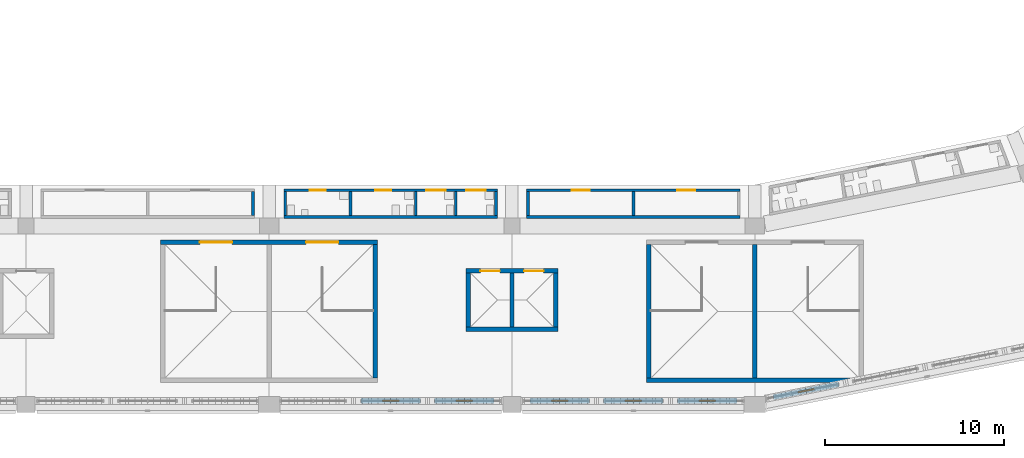
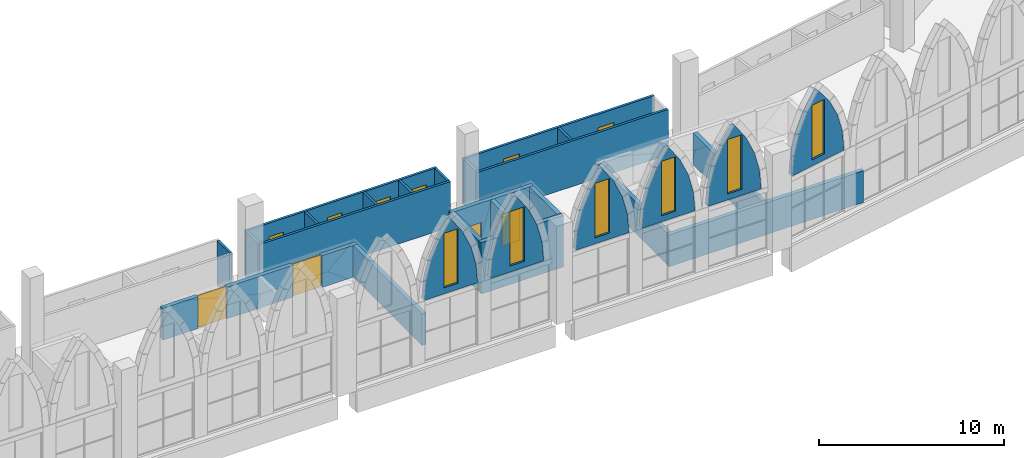
# One storey, part 68 of 130: 28 walls, 10 doors, 6 windows, 16 openings.
"""IFC4 building model written with IfcOpenShell, lengths in metres."""

from ifc_helpers import new_model, si_unit, direction, frame, frame_2d, origin, place, context, subcontext, project, spatial, polyline, rectangle, outline, extrude, material, layer, layer_set, type_object, element, fill, save


model = new_model("IFC4")

# Units and contexts
model_context = context("Model", 3, precision=1e-05, world=origin(), true_north=direction((0.0, 1.0)))
body_context = subcontext(model_context, "Body", "Model", "MODEL_VIEW")
ifc_project = project(units=[si_unit("LENGTHUNIT", "METRE"), si_unit("AREAUNIT", "SQUARE_METRE"), si_unit("VOLUMEUNIT", "CUBIC_METRE"), si_unit("PLANEANGLEUNIT", "RADIAN"), si_unit("MASSUNIT", "GRAM", prefix="KILO")], contexts=[model_context])

# Site, building, storey
site_placement = place(None, origin())
site = spatial("IfcSite", under=ifc_project, at=site_placement, CompositionType="ELEMENT")
building_placement = place(site_placement, origin())
building = spatial("IfcBuilding", under=site, at=building_placement, Name="Ogive Plaza Stadium", CompositionType="ELEMENT")
storey_placement = place(building_placement, frame((0.0, 0.0, 22.5)))
storey = spatial("IfcBuildingStorey", under=building, at=storey_placement, Name="L05", CompositionType="ELEMENT", Elevation=22.5)

# Wall, openings, doors
ifc_material_1 = material(Name="Masonry blockwork", Category="masonry")
ifc_layer_1 = layer(ifc_material_1, 0.14990234375)
ifc_layer_set_1 = layer_set([ifc_layer_1], Name="Blockwork wall 150")
wall_type_1 = type_object("IfcWallType", Name="Blockwork wall 150", PredefinedType="SOLIDWALL", material=ifc_layer_set_1)
wall_1_placement = place(storey_placement, frame((33.175048828125, -90.5, 0.0), z_axis=(0.0, 0.0, 1.0), x_axis=(-1.0, 0.0, 0.0)))
wall_1 = element("IfcWall", 1, at=wall_1_placement, inside=storey, type_object=wall_type_1, Name="Wall L05 B12", PredefinedType="SOLIDWALL", context=body_context, shape_type="SweptSolid", body=[
    extrude(rectangle(XDim=11.949951171875, YDim=0.14990234375, at=frame_2d((5.97509765625, 0.0))), origin(), (0.0, 0.0, 1.0), 3.0),
])
opening_1_placement = place(wall_1_placement, frame((2.52490234375, 0.0, 0.0)))
opening_1 = element("IfcOpeningElement", 2, at=opening_1_placement, cuts=wall_1, Name="Opening D0951", PredefinedType="OPENING", context=body_context, shape_type="SweptSolid", body=[
    extrude(rectangle(XDim=1.0, YDim=2.10009765625, at=frame_2d((0.5, 1.050048828125))), frame((0.0, 0.074951171875, 0.0), z_axis=(0.0, -1.0, 0.0), x_axis=(1.0, 0.0, 0.0)), (0.0, 0.0, 1.0), 0.14990234375),
])
opening_2_placement = place(wall_1_placement, frame((8.425048828125, 0.0, 0.0)))
opening_2 = element("IfcOpeningElement", 3, at=opening_2_placement, cuts=wall_1, Name="Opening D0952", PredefinedType="OPENING", context=body_context, shape_type="SweptSolid", body=[
    extrude(rectangle(XDim=1.0, YDim=2.10009765625, at=frame_2d((0.5, 1.050048828125))), frame((0.0, 0.074951171875, 0.0), z_axis=(0.0, -1.0, 0.0), x_axis=(1.0, 0.0, 0.0)), (0.0, 0.0, 1.0), 0.14990234375),
])
ifc_material_2 = material(Name="Steel ASTM A572 Grade 50", Category="steel")
door_type_1 = type_object("IfcDoorType", Name="Door 1000 x 2100", OperationType="SINGLE_SWING_LEFT", PredefinedType="DOOR", material=ifc_material_2)
door_1_placement = place(opening_1_placement, origin())
door_1 = element("IfcDoor", 4, at=door_1_placement, inside=storey, type_object=door_type_1, Name="Concession Stand B12 door", OperationType="SINGLE_SWING_LEFT", OverallHeight=2.10009765625, OverallWidth=1.0, PredefinedType="DOOR", context=body_context, shape_type="SweptSolid", body=[
    extrude(rectangle(XDim=1.0, YDim=2.10009765625, at=frame_2d((0.5, 1.050048828125))), frame((0.0, 0.02490234375, 0.0), z_axis=(0.0, -1.0, 0.0), x_axis=(1.0, 0.0, 0.0)), (0.0, 0.0, 1.0), 0.050048828125),
])
fill(opening_1, door_1)
door_2_placement = place(opening_2_placement, origin())
door_2 = element("IfcDoor", 5, at=door_2_placement, inside=storey, type_object=door_type_1, Name="Concession Stand B12 door", OperationType="SINGLE_SWING_RIGHT", OverallHeight=2.10009765625, OverallWidth=1.0, PredefinedType="DOOR", context=body_context, shape_type="SweptSolid", body=[
    extrude(rectangle(XDim=1.0, YDim=2.10009765625, at=frame_2d((0.5, 1.050048828125))), frame((0.0, 0.02490234375, 0.0), z_axis=(0.0, -1.0, 0.0), x_axis=(1.0, 0.0, 0.0)), (0.0, 0.0, 1.0), 0.050048828125),
])
fill(opening_2, door_2)

# Walls
wall_2_placement = place(storey_placement, frame((33.175048828125, -92.0, 0.0), z_axis=(0.0, 0.0, 1.0), x_axis=(-1.0, 0.0, 0.0)))
element("IfcWall", 6, at=wall_2_placement, inside=storey, type_object=wall_type_1, Name="Wall L05 B12", PredefinedType="SOLIDWALL", context=body_context, shape_type="SweptSolid", body=[
    extrude(rectangle(XDim=11.949951171875, YDim=0.14990234375, at=frame_2d((5.97509765625, 0.0))), origin(), (0.0, 0.0, 1.0), 3.0),
])
for number, where, z_axis, x_axis, name in (
    (7, (27.199951171875, -90.574951171875, 0.0), (0.0, 0.0, 1.0), (0.0, -1.0, 0.0), "Wall L05 B12"),
    (8, (21.300048828125, -90.574951171875, 0.0), (0.0, 0.0, 1.0), (0.0, -1.0, 0.0), "Wall L05 B12"),
    (9, (5.89990234375, -90.574951171875, 0.0), (0.0, 0.0, 1.0), (0.0, -1.0, 0.0), "Wall L05 B14"),
):
    element("IfcWall", number, at=place(storey_placement, frame(where, z_axis=z_axis, x_axis=x_axis)), inside=storey, type_object=wall_type_1, Name=name, PredefinedType="SOLIDWALL", context=body_context, shape_type="SweptSolid", body=[
        extrude(rectangle(XDim=1.35009765625, YDim=0.14990234375, at=frame_2d((0.675048828125, 0.0))), origin(), (0.0, 0.0, 1.0), 3.0),
    ])
ifc_material_3 = material(Name="Concrete C40/50", Category="concrete")
ifc_layer_2 = layer(ifc_material_3, 0.25)
ifc_layer_set_2 = layer_set([ifc_layer_2], Name="Concrete C40/50")
wall_type_2 = type_object("IfcWallType", Name="Core wall 250", PredefinedType="SHEAR", material=ifc_layer_set_2)
wall_3_placement = place(storey_placement, frame((27.925048828125, -101.135009765625, 0.0), z_axis=(0.0, 0.0, 1.0), x_axis=(1.0, 0.0, 0.0)))
element("IfcWall", 10, at=wall_3_placement, inside=storey, type_object=wall_type_2, Name="Stair core R12 outer wall", PredefinedType="SHEAR", context=body_context, shape_type="SweptSolid", body=[
    extrude(rectangle(XDim=12.14990234375, YDim=0.25, at=frame_2d((6.074951171875, 0.0))), origin(), (0.0, 0.0, 1.0), 2.10009765625),
])
for number, where, z_axis, x_axis, name in (
    (11, (28.050048828125, -93.550048828125, 0.0), (0.0, 0.0, 1.0), (0.0, -1.0, 0.0), "Stair core R12 side wall"),
    (12, (34.0, -93.550048828125, 0.0), (0.0, 0.0, 1.0), (0.0, -1.0, 0.0), "Stair core R12 centre wall"),
):
    element("IfcWall", number, at=place(storey_placement, frame(where, z_axis=z_axis, x_axis=x_axis)), inside=storey, type_object=wall_type_2, Name=name, PredefinedType="SHEAR", context=body_context, shape_type="SweptSolid", body=[
        extrude(rectangle(XDim=7.4599609375, YDim=0.25, at=frame_2d((3.72998046875, 0.0))), origin(), (0.0, 0.0, 1.0), 2.10009765625),
    ])

# Wall, openings, doors
wall_4_placement = place(storey_placement, frame((0.72509765625, -93.425048828125, 0.0), z_axis=(0.0, 0.0, 1.0), x_axis=(1.0, 0.0, 0.0)))
wall_4 = element("IfcWall", 13, at=wall_4_placement, inside=storey, type_object=wall_type_2, Name="Stair core R14 inner wall", PredefinedType="SHEAR", context=body_context, shape_type="SweptSolid", body=[
    extrude(rectangle(XDim=12.14990234375, YDim=0.25, at=frame_2d((6.074951171875, 0.0))), origin(), (0.0, 0.0, 1.0), 2.10009765625),
])
opening_3_placement = place(wall_4_placement, frame((2.199951171875, 0.0, 0.0)))
opening_3 = element("IfcOpeningElement", 14, at=opening_3_placement, cuts=wall_4, Name="Opening D0129", PredefinedType="OPENING", context=body_context, shape_type="SweptSolid", body=[
    extrude(rectangle(XDim=1.800048828125, YDim=2.10009765625, at=frame_2d((0.89990234375, 1.050048828125))), frame((0.0, 0.125, 0.0), z_axis=(0.0, -1.0, 0.0), x_axis=(1.0, 0.0, 0.0)), (0.0, 0.0, 1.0), 0.25),
])
opening_4_placement = place(wall_4_placement, frame((8.14990234375, 0.0, 0.0)))
opening_4 = element("IfcOpeningElement", 15, at=opening_4_placement, cuts=wall_4, Name="Opening D0130", PredefinedType="OPENING", context=body_context, shape_type="SweptSolid", body=[
    extrude(rectangle(XDim=1.800048828125, YDim=2.10009765625, at=frame_2d((0.89990234375, 1.050048828125))), frame((0.0, 0.125, 0.0), z_axis=(0.0, -1.0, 0.0), x_axis=(1.0, 0.0, 0.0)), (0.0, 0.0, 1.0), 0.25),
])
ifc_material_4 = material(Name="Steel ASTM A572 Grade 50", Category="steel")
door_type_2 = type_object("IfcDoorType", Name="Fire door FD90 pair 1800 x 2100", OperationType="DOUBLE_DOOR_SINGLE_SWING", PredefinedType="DOOR", material=ifc_material_4)
door_3_placement = place(opening_3_placement, origin())
door_3 = element("IfcDoor", 16, at=door_3_placement, inside=storey, type_object=door_type_2, Name="Exit stair R14A door L05", OperationType="DOUBLE_DOOR_SINGLE_SWING", OverallHeight=2.10009765625, OverallWidth=1.800048828125, PredefinedType="DOOR", context=body_context, shape_type="SweptSolid", body=[
    extrude(rectangle(XDim=1.800048828125, YDim=2.10009765625, at=frame_2d((0.89990234375, 1.050048828125))), frame((0.0, 0.02490234375, 0.0), z_axis=(0.0, -1.0, 0.0), x_axis=(1.0, 0.0, 0.0)), (0.0, 0.0, 1.0), 0.050048828125),
])
fill(opening_3, door_3)
door_4_placement = place(opening_4_placement, origin())
door_4 = element("IfcDoor", 17, at=door_4_placement, inside=storey, type_object=door_type_2, Name="Exit stair R14B door L05", OperationType="DOUBLE_DOOR_SINGLE_SWING", OverallHeight=2.10009765625, OverallWidth=1.800048828125, PredefinedType="DOOR", context=body_context, shape_type="SweptSolid", body=[
    extrude(rectangle(XDim=1.800048828125, YDim=2.10009765625, at=frame_2d((0.89990234375, 1.050048828125))), frame((0.0, 0.02490234375, 0.0), z_axis=(0.0, -1.0, 0.0), x_axis=(1.0, 0.0, 0.0)), (0.0, 0.0, 1.0), 0.050048828125),
])
fill(opening_4, door_4)

# Wall
wall_5_placement = place(storey_placement, frame((12.75, -93.550048828125, 0.0), z_axis=(0.0, 0.0, 1.0), x_axis=(0.0, -1.0, 0.0)))
element("IfcWall", 18, at=wall_5_placement, inside=storey, type_object=wall_type_2, Name="Stair core R14 side wall", PredefinedType="SHEAR", context=body_context, shape_type="SweptSolid", body=[
    extrude(rectangle(XDim=7.4599609375, YDim=0.25, at=frame_2d((3.72998046875, 0.0))), origin(), (0.0, 0.0, 1.0), 2.10009765625),
])

# Wall, openings, doors
ifc_material_5 = material(Name="Concrete C40/50", Category="concrete")
ifc_layer_3 = layer(ifc_material_5, 0.25)
ifc_layer_set_3 = layer_set([ifc_layer_3], Name="Concrete C40/50")
wall_type_3 = type_object("IfcWallType", Name="Core wall 250 A", PredefinedType="SHEAR", material=ifc_layer_set_3)
wall_6_placement = place(storey_placement, frame((17.824951171875, -95.02490234375, 0.0), z_axis=(0.0, 0.0, 1.0), x_axis=(1.0, 0.0, 0.0)))
wall_6 = element("IfcWall", 19, at=wall_6_placement, inside=storey, type_object=wall_type_3, Name="Lift core LP13 landing wall", PredefinedType="SHEAR", context=body_context, shape_type="SweptSolid", body=[
    extrude(rectangle(XDim=5.150146484375, YDim=0.25, at=frame_2d((2.5751953125, 0.0))), origin(), (0.0, 0.0, 1.0), 3.39990234375),
])
opening_5_placement = place(wall_6_placement, frame((0.800048828125, 0.0, 0.0)))
opening_5 = element("IfcOpeningElement", 20, at=opening_5_placement, cuts=wall_6, Name="Opening LD033", PredefinedType="OPENING", context=body_context, shape_type="SweptSolid", body=[
    extrude(rectangle(XDim=1.10009765625, YDim=2.10009765625, at=frame_2d((0.550048828125, 1.050048828125))), frame((0.0, 0.125, 0.0), z_axis=(0.0, -1.0, 0.0), x_axis=(1.0, 0.0, 0.0)), (0.0, 0.0, 1.0), 0.25),
])
opening_6_placement = place(wall_6_placement, frame((3.25, 0.0, 0.0)))
opening_6 = element("IfcOpeningElement", 21, at=opening_6_placement, cuts=wall_6, Name="Opening LD034", PredefinedType="OPENING", context=body_context, shape_type="SweptSolid", body=[
    extrude(rectangle(XDim=1.10009765625, YDim=2.10009765625, at=frame_2d((0.550048828125, 1.050048828125))), frame((0.0, 0.125, 0.0), z_axis=(0.0, -1.0, 0.0), x_axis=(1.0, 0.0, 0.0)), (0.0, 0.0, 1.0), 0.25),
])
ifc_material_6 = material(Name="Steel ASTM A572 Grade 50", Category="steel")
door_type_3 = type_object("IfcDoorType", Name="Landing door 1100 x 2100", OperationType="SLIDING_TO_LEFT", PredefinedType="DOOR", material=ifc_material_6)
door_5_placement = place(opening_5_placement, origin())
door_5 = element("IfcDoor", 22, at=door_5_placement, inside=storey, type_object=door_type_3, Name="Lift landing door LP13 L05", OperationType="SLIDING_TO_LEFT", OverallHeight=2.10009765625, OverallWidth=1.10009765625, PredefinedType="DOOR", context=body_context, shape_type="SweptSolid", body=[
    extrude(rectangle(XDim=1.10009765625, YDim=2.10009765625, at=frame_2d((0.550048828125, 1.050048828125))), frame((0.0, 0.02490234375, 0.0), z_axis=(0.0, -1.0, 0.0), x_axis=(1.0, 0.0, 0.0)), (0.0, 0.0, 1.0), 0.050048828125),
])
fill(opening_5, door_5)
door_6_placement = place(opening_6_placement, origin())
door_6 = element("IfcDoor", 23, at=door_6_placement, inside=storey, type_object=door_type_3, Name="Lift landing door LP13 L05", OperationType="SLIDING_TO_LEFT", OverallHeight=2.10009765625, OverallWidth=1.10009765625, PredefinedType="DOOR", context=body_context, shape_type="SweptSolid", body=[
    extrude(rectangle(XDim=1.10009765625, YDim=2.10009765625, at=frame_2d((0.550048828125, 1.050048828125))), frame((0.0, 0.02490234375, 0.0), z_axis=(0.0, -1.0, 0.0), x_axis=(1.0, 0.0, 0.0)), (0.0, 0.0, 1.0), 0.050048828125),
])
fill(opening_6, door_6)

# Walls
wall_7_placement = place(storey_placement, frame((17.824951171875, -98.27490234375, 0.0), z_axis=(0.0, 0.0, 1.0), x_axis=(1.0, 0.0, 0.0)))
element("IfcWall", 24, at=wall_7_placement, inside=storey, type_object=wall_type_3, Name="Lift core LP13 rear wall", PredefinedType="SHEAR", context=body_context, shape_type="SweptSolid", body=[
    extrude(rectangle(XDim=5.150146484375, YDim=0.25, at=frame_2d((2.5751953125, 0.0))), origin(), (0.0, 0.0, 1.0), 3.39990234375),
])
for number, where, z_axis, x_axis, name in (
    (25, (17.949951171875, -95.14990234375, 0.0), (0.0, 0.0, 1.0), (0.0, -1.0, 0.0), "Lift core LP13 side wall"),
    (26, (22.85009765625, -95.14990234375, 0.0), (0.0, 0.0, 1.0), (0.0, -1.0, 0.0), "Lift core LP13 side wall"),
    (27, (20.39990234375, -95.14990234375, 0.0), (0.0, 0.0, 1.0), (0.0, -1.0, 0.0), "Lift core LP13 centre wall"),
):
    element("IfcWall", number, at=place(storey_placement, frame(where, z_axis=z_axis, x_axis=x_axis)), inside=storey, type_object=wall_type_3, Name=name, PredefinedType="SHEAR", context=body_context, shape_type="SweptSolid", body=[
        extrude(rectangle(XDim=3.0, YDim=0.25, at=frame_2d((1.5, 0.0))), origin(), (0.0, 0.0, 1.0), 3.39990234375),
    ])

# Wall, openings, doors
ifc_material_7 = material(Name="Gypsum board partition", Category="gypsum")
ifc_layer_4 = layer(ifc_material_7, 0.14990234375)
ifc_layer_set_4 = layer_set([ifc_layer_4], Name="Partition 150")
wall_type_4 = type_object("IfcWallType", Name="Partition 150", PredefinedType="PARTITIONING", material=ifc_layer_set_4)
wall_8_placement = place(storey_placement, frame((7.625, -90.5, 0.0), z_axis=(0.0, 0.0, 1.0), x_axis=(1.0, 0.0, 0.0)))
wall_8 = element("IfcWall", 28, at=wall_8_placement, inside=storey, type_object=wall_type_4, Name="Wall L05 B13", PredefinedType="PARTITIONING", context=body_context, shape_type="SweptSolid", body=[
    extrude(rectangle(XDim=11.949951171875, YDim=0.14990234375, at=frame_2d((5.97509765625, 0.0))), origin(), (0.0, 0.0, 1.0), 3.0),
])
opening_7_placement = place(wall_8_placement, frame((1.4541015625, 0.0, 0.0)))
opening_7 = element("IfcOpeningElement", 29, at=opening_7_placement, cuts=wall_8, Name="Opening D0953", PredefinedType="OPENING", context=body_context, shape_type="SweptSolid", body=[
    extrude(rectangle(XDim=0.89990234375, YDim=2.10009765625, at=frame_2d((0.449951171875, 1.050048828125))), frame((0.0, 0.074951171875, 0.0), z_axis=(0.0, -1.0, 0.0), x_axis=(1.0, 0.0, 0.0)), (0.0, 0.0, 1.0), 0.14990234375),
])
opening_8_placement = place(wall_8_placement, frame((5.112060546875, 0.0, 0.0)))
opening_8 = element("IfcOpeningElement", 30, at=opening_8_placement, cuts=wall_8, Name="Opening D0954", PredefinedType="OPENING", context=body_context, shape_type="SweptSolid", body=[
    extrude(rectangle(XDim=0.89990234375, YDim=2.10009765625, at=frame_2d((0.449951171875, 1.050048828125))), frame((0.0, 0.074951171875, 0.0), z_axis=(0.0, -1.0, 0.0), x_axis=(1.0, 0.0, 0.0)), (0.0, 0.0, 1.0), 0.14990234375),
])
opening_9_placement = place(wall_8_placement, frame((7.9619140625, 0.0, 0.0)))
opening_9 = element("IfcOpeningElement", 31, at=opening_9_placement, cuts=wall_8, Name="Opening D0955", PredefinedType="OPENING", context=body_context, shape_type="SweptSolid", body=[
    extrude(rectangle(XDim=1.10009765625, YDim=2.10009765625, at=frame_2d((0.550048828125, 1.050048828125))), frame((0.0, 0.074951171875, 0.0), z_axis=(0.0, -1.0, 0.0), x_axis=(1.0, 0.0, 0.0)), (0.0, 0.0, 1.0), 0.14990234375),
])
opening_10_placement = place(wall_8_placement, frame((10.2041015625, 0.0, 0.0)))
opening_10 = element("IfcOpeningElement", 32, at=opening_10_placement, cuts=wall_8, Name="Opening D0956", PredefinedType="OPENING", context=body_context, shape_type="SweptSolid", body=[
    extrude(rectangle(XDim=1.10009765625, YDim=2.10009765625, at=frame_2d((0.550048828125, 1.050048828125))), frame((0.0, 0.074951171875, 0.0), z_axis=(0.0, -1.0, 0.0), x_axis=(1.0, 0.0, 0.0)), (0.0, 0.0, 1.0), 0.14990234375),
])
ifc_material_8 = material(Name="Steel ASTM A572 Grade 50", Category="steel")
door_type_4 = type_object("IfcDoorType", Name="Accessible door 1100 x 2100", OperationType="SINGLE_SWING_LEFT", PredefinedType="DOOR", material=ifc_material_8)
door_7_placement = place(opening_9_placement, origin())
door_7 = element("IfcDoor", 33, at=door_7_placement, inside=storey, type_object=door_type_4, Name="Accessible WC B13 door", OperationType="SINGLE_SWING_RIGHT", OverallHeight=2.10009765625, OverallWidth=1.10009765625, PredefinedType="DOOR", context=body_context, shape_type="SweptSolid", body=[
    extrude(rectangle(XDim=1.10009765625, YDim=2.10009765625, at=frame_2d((0.550048828125, 1.050048828125))), frame((0.0, 0.02490234375, 0.0), z_axis=(0.0, -1.0, 0.0), x_axis=(1.0, 0.0, 0.0)), (0.0, 0.0, 1.0), 0.050048828125),
])
fill(opening_9, door_7)
door_8_placement = place(opening_10_placement, origin())
door_8 = element("IfcDoor", 34, at=door_8_placement, inside=storey, type_object=door_type_4, Name="Family WC B13 door", OperationType="SINGLE_SWING_LEFT", OverallHeight=2.10009765625, OverallWidth=1.10009765625, PredefinedType="DOOR", context=body_context, shape_type="SweptSolid", body=[
    extrude(rectangle(XDim=1.10009765625, YDim=2.10009765625, at=frame_2d((0.550048828125, 1.050048828125))), frame((0.0, 0.02490234375, 0.0), z_axis=(0.0, -1.0, 0.0), x_axis=(1.0, 0.0, 0.0)), (0.0, 0.0, 1.0), 0.050048828125),
])
fill(opening_10, door_8)
ifc_material_9 = material(Name="Steel ASTM A572 Grade 50", Category="steel")
door_type_5 = type_object("IfcDoorType", Name="Door 900 x 2100", OperationType="SINGLE_SWING_LEFT", PredefinedType="DOOR", material=ifc_material_9)
door_9_placement = place(opening_7_placement, origin())
door_9 = element("IfcDoor", 35, at=door_9_placement, inside=storey, type_object=door_type_5, Name="Men's Toilet B13 door", OperationType="SINGLE_SWING_RIGHT", OverallHeight=2.10009765625, OverallWidth=0.89990234375, PredefinedType="DOOR", context=body_context, shape_type="SweptSolid", body=[
    extrude(rectangle(XDim=0.89990234375, YDim=2.10009765625, at=frame_2d((0.449951171875, 1.050048828125))), frame((0.0, 0.02490234375, 0.0), z_axis=(0.0, -1.0, 0.0), x_axis=(1.0, 0.0, 0.0)), (0.0, 0.0, 1.0), 0.050048828125),
])
fill(opening_7, door_9)
door_10_placement = place(opening_8_placement, origin())
door_10 = element("IfcDoor", 36, at=door_10_placement, inside=storey, type_object=door_type_5, Name="Women's Toilet B13 door", OperationType="SINGLE_SWING_LEFT", OverallHeight=2.10009765625, OverallWidth=0.89990234375, PredefinedType="DOOR", context=body_context, shape_type="SweptSolid", body=[
    extrude(rectangle(XDim=0.89990234375, YDim=2.10009765625, at=frame_2d((0.449951171875, 1.050048828125))), frame((0.0, 0.02490234375, 0.0), z_axis=(0.0, -1.0, 0.0), x_axis=(1.0, 0.0, 0.0)), (0.0, 0.0, 1.0), 0.050048828125),
])
fill(opening_8, door_10)

# Walls
wall_9_placement = place(storey_placement, frame((7.625, -92.0, 0.0), z_axis=(0.0, 0.0, 1.0), x_axis=(1.0, 0.0, 0.0)))
element("IfcWall", 37, at=wall_9_placement, inside=storey, type_object=wall_type_4, Name="Wall L05 B13", PredefinedType="PARTITIONING", context=body_context, shape_type="SweptSolid", body=[
    extrude(rectangle(XDim=11.949951171875, YDim=0.14990234375, at=frame_2d((5.97509765625, 0.0))), origin(), (0.0, 0.0, 1.0), 3.0),
])
for number, where, z_axis, x_axis, name in (
    (38, (7.699951171875, -90.574951171875, 0.0), (0.0, 0.0, 1.0), (0.0, -1.0, 0.0), "Wall L05 B13"),
    (39, (11.35791015625, -90.574951171875, 0.0), (0.0, 0.0, 1.0), (0.0, -1.0, 0.0), "Wall L05 B13"),
    (40, (15.01611328125, -90.574951171875, 0.0), (0.0, 0.0, 1.0), (0.0, -1.0, 0.0), "Wall L05 B13"),
    (41, (17.258056640625, -90.574951171875, 0.0), (0.0, 0.0, 1.0), (0.0, -1.0, 0.0), "Wall L05 B13"),
    (42, (19.5, -90.574951171875, 0.0), (0.0, 0.0, 1.0), (0.0, -1.0, 0.0), "Wall L05 B13"),
):
    element("IfcWall", number, at=place(storey_placement, frame(where, z_axis=z_axis, x_axis=x_axis)), inside=storey, type_object=wall_type_4, Name=name, PredefinedType="PARTITIONING", context=body_context, shape_type="SweptSolid", body=[
        extrude(rectangle(XDim=1.35009765625, YDim=0.14990234375, at=frame_2d((0.675048828125, 0.0))), origin(), (0.0, 0.0, 1.0), 3.0),
    ])

# Wall, opening, window
ifc_material_10 = material(Name="Concrete C45/55 precast", Category="concrete")
ifc_layer_5 = layer(ifc_material_10, 0.25)
ifc_material_11 = material(Name="Cast stone (reconstituted limestone)", Category="masonry")
ifc_layer_6 = layer(ifc_material_11, 0.050048828125)
ifc_layer_set_5 = layer_set([ifc_layer_5, ifc_layer_6], Name="Concrete C45/55 precast, cast stone facing")
wall_type_5 = type_object("IfcWallType", Name="Tympanum wall 300", PredefinedType="SOLIDWALL", material=ifc_layer_set_5)
wall_10_placement = place(storey_placement, frame((38.691162109375, -101.363037109375, 4.10009765625), z_axis=(0.0, 0.0, 1.0), x_axis=(-0.980796486736, -0.195033975516, 0.0)))
wall_10 = element("IfcWall", 43, at=wall_10_placement, inside=storey, type_object=wall_type_5, Name="TYMPANUM B11 4", PredefinedType="SOLIDWALL", context=body_context, shape_type="SweptSolid", body=[
    extrude(outline(polyline([(0.0, 0.0), (3.731689453125, 0.0), (3.731689453125, 0.0498046875), (3.60986328125, 1.309814453125), (3.248779296875, 2.574951171875), (2.66064453125, 3.751708984375), (1.86572265625, 4.7998046875), (1.07080078125, 3.751708984375), (0.48291015625, 2.574951171875), (0.121826171875, 1.309814453125), (0.0, 0.0498046875), (0.0, 0.0)])), frame((0.0, 0.14990234375, 0.0), z_axis=(0.0, -1.0, 0.0), x_axis=(1.0, 0.0, 0.0)), (0.0, 0.0, 1.0), 0.300048828125),
])
opening_11_placement = place(wall_10_placement, frame((1.415771484375, 0.0, 0.39990234375)))
opening_11 = element("IfcOpeningElement", 44, at=opening_11_placement, cuts=wall_10, Name="Opening W-11-4", PredefinedType="OPENING", context=body_context, shape_type="SweptSolid", body=[
    extrude(rectangle(XDim=0.89990234375, YDim=3.60009765625, at=frame_2d((0.449951171875, 1.800048828125))), frame((0.0, 0.16015625, 0.0), z_axis=(0.0, -1.0, 0.0), x_axis=(1.0, 0.0, 0.0)), (0.0, 0.0, 1.0), 0.320068359375),
])
ifc_material_12 = material(Name="Bronze-anodised aluminium and laminated glass", Category="aluminium")
window_type = type_object("IfcWindowType", Name="Lancet window 900 x 3600", PartitioningType="SINGLE_PANEL", PredefinedType="WINDOW", material=ifc_material_12)
window_1_placement = place(opening_11_placement, origin())
window_1 = element("IfcWindow", 45, at=window_1_placement, inside=storey, type_object=window_type, Name="LANCET WINDOW B11 4", OverallHeight=3.60009765625, OverallWidth=0.89990234375, PartitioningType="SINGLE_PANEL", PredefinedType="WINDOW", context=body_context, shape_type="SweptSolid", body=[
    extrude(rectangle(XDim=0.89990234375, YDim=3.60009765625, at=frame_2d((0.449951171875, 1.800048828125))), frame((0.0, 0.030029296875, 0.0), z_axis=(0.0, -1.0, 0.0), x_axis=(1.0, 0.0, 0.0)), (0.0, 0.0, 1.0), 0.06005859375),
])
fill(opening_11, window_1)

wall_11_placement = place(storey_placement, frame((33.0, -102.300048828125, 4.10009765625), z_axis=(0.0, 0.0, 1.0), x_axis=(-1.0, 0.0, 0.0)))
wall_11 = element("IfcWall", 46, at=wall_11_placement, inside=storey, type_object=wall_type_5, Name="TYMPANUM B12 1", PredefinedType="SOLIDWALL", context=body_context, shape_type="SweptSolid", body=[
    extrude(outline(polyline([(0.0, 0.0), (3.333251953125, 0.0), (3.333251953125, 0.0498046875), (3.225341796875, 1.2880859375), (2.90478515625, 2.54052734375), (2.38037109375, 3.721923828125), (1.666748046875, 4.7998046875), (0.952880859375, 3.721923828125), (0.428466796875, 2.54052734375), (0.10791015625, 1.2880859375), (0.0, 0.0498046875), (0.0, 0.0)])), frame((0.0, 0.14990234375, 0.0), z_axis=(0.0, -1.0, 0.0), x_axis=(1.0, 0.0, 0.0)), (0.0, 0.0, 1.0), 0.300048828125),
])
opening_12_placement = place(wall_11_placement, frame((1.216552734375, 0.0, 0.39990234375)))
opening_12 = element("IfcOpeningElement", 47, at=opening_12_placement, cuts=wall_11, Name="Opening W-12-1", PredefinedType="OPENING", context=body_context, shape_type="SweptSolid", body=[
    extrude(rectangle(XDim=0.89990234375, YDim=3.60009765625, at=frame_2d((0.449951171875, 1.800048828125))), frame((0.0, 0.16015625, 0.0), z_axis=(0.0, -1.0, 0.0), x_axis=(1.0, 0.0, 0.0)), (0.0, 0.0, 1.0), 0.320068359375),
])
window_2_placement = place(opening_12_placement, origin())
window_2 = element("IfcWindow", 48, at=window_2_placement, inside=storey, type_object=window_type, Name="LANCET WINDOW B12 1", OverallHeight=3.60009765625, OverallWidth=0.89990234375, PartitioningType="SINGLE_PANEL", PredefinedType="WINDOW", context=body_context, shape_type="SweptSolid", body=[
    extrude(rectangle(XDim=0.89990234375, YDim=3.60009765625, at=frame_2d((0.449951171875, 1.800048828125))), frame((0.0, 0.030029296875, 0.0), z_axis=(0.0, -1.0, 0.0), x_axis=(1.0, 0.0, 0.0)), (0.0, 0.0, 1.0), 0.06005859375),
])
fill(opening_12, window_2)

wall_12_placement = place(storey_placement, frame((28.86669921875, -102.300048828125, 4.10009765625), z_axis=(0.0, 0.0, 1.0), x_axis=(-1.0, 0.0, 0.0)))
wall_12 = element("IfcWall", 49, at=wall_12_placement, inside=storey, type_object=wall_type_5, Name="TYMPANUM B12 2", PredefinedType="SOLIDWALL", context=body_context, shape_type="SweptSolid", body=[
    extrude(outline(polyline([(0.0, 0.0), (3.333251953125, 0.0), (3.333251953125, 0.0498046875), (3.225341796875, 1.2880859375), (2.90478515625, 2.54052734375), (2.38037109375, 3.721923828125), (1.666748046875, 4.7998046875), (0.952880859375, 3.721923828125), (0.428466796875, 2.54052734375), (0.10791015625, 1.2880859375), (0.0, 0.0498046875), (0.0, 0.0)])), frame((0.0, 0.14990234375, 0.0), z_axis=(0.0, -1.0, 0.0), x_axis=(1.0, 0.0, 0.0)), (0.0, 0.0, 1.0), 0.300048828125),
])
opening_13_placement = place(wall_12_placement, frame((1.216552734375, 0.0, 0.39990234375)))
opening_13 = element("IfcOpeningElement", 50, at=opening_13_placement, cuts=wall_12, Name="Opening W-12-2", PredefinedType="OPENING", context=body_context, shape_type="SweptSolid", body=[
    extrude(rectangle(XDim=0.89990234375, YDim=3.60009765625, at=frame_2d((0.449951171875, 1.800048828125))), frame((0.0, 0.16015625, 0.0), z_axis=(0.0, -1.0, 0.0), x_axis=(1.0, 0.0, 0.0)), (0.0, 0.0, 1.0), 0.320068359375),
])
window_3_placement = place(opening_13_placement, origin())
window_3 = element("IfcWindow", 51, at=window_3_placement, inside=storey, type_object=window_type, Name="LANCET WINDOW B12 2", OverallHeight=3.60009765625, OverallWidth=0.89990234375, PartitioningType="SINGLE_PANEL", PredefinedType="WINDOW", context=body_context, shape_type="SweptSolid", body=[
    extrude(rectangle(XDim=0.89990234375, YDim=3.60009765625, at=frame_2d((0.449951171875, 1.800048828125))), frame((0.0, 0.030029296875, 0.0), z_axis=(0.0, -1.0, 0.0), x_axis=(1.0, 0.0, 0.0)), (0.0, 0.0, 1.0), 0.06005859375),
])
fill(opening_13, window_3)

wall_13_placement = place(storey_placement, frame((24.7333984375, -102.300048828125, 4.10009765625), z_axis=(0.0, 0.0, 1.0), x_axis=(-1.0, 0.0, 0.0)))
wall_13 = element("IfcWall", 52, at=wall_13_placement, inside=storey, type_object=wall_type_5, Name="TYMPANUM B12 3", PredefinedType="SOLIDWALL", context=body_context, shape_type="SweptSolid", body=[
    extrude(outline(polyline([(0.0, 0.0), (3.33349609375, 0.0), (3.333251953125, 0.0498046875), (3.225341796875, 1.2880859375), (2.90478515625, 2.54052734375), (2.38037109375, 3.721923828125), (1.666748046875, 4.7998046875), (0.952880859375, 3.721923828125), (0.428466796875, 2.54052734375), (0.10791015625, 1.2880859375), (0.0, 0.0498046875), (0.0, 0.0)])), frame((0.0, 0.14990234375, 0.0), z_axis=(0.0, -1.0, 0.0), x_axis=(1.0, 0.0, 0.0)), (0.0, 0.0, 1.0), 0.300048828125),
])
opening_14_placement = place(wall_13_placement, frame((1.216552734375, 0.0, 0.39990234375)))
opening_14 = element("IfcOpeningElement", 53, at=opening_14_placement, cuts=wall_13, Name="Opening W-12-3", PredefinedType="OPENING", context=body_context, shape_type="SweptSolid", body=[
    extrude(rectangle(XDim=0.89990234375, YDim=3.60009765625, at=frame_2d((0.449951171875, 1.800048828125))), frame((0.0, 0.16015625, 0.0), z_axis=(0.0, -1.0, 0.0), x_axis=(1.0, 0.0, 0.0)), (0.0, 0.0, 1.0), 0.320068359375),
])
window_4_placement = place(opening_14_placement, origin())
window_4 = element("IfcWindow", 54, at=window_4_placement, inside=storey, type_object=window_type, Name="LANCET WINDOW B12 3", OverallHeight=3.60009765625, OverallWidth=0.89990234375, PartitioningType="SINGLE_PANEL", PredefinedType="WINDOW", context=body_context, shape_type="SweptSolid", body=[
    extrude(rectangle(XDim=0.89990234375, YDim=3.60009765625, at=frame_2d((0.449951171875, 1.800048828125))), frame((0.0, 0.030029296875, 0.0), z_axis=(0.0, -1.0, 0.0), x_axis=(1.0, 0.0, 0.0)), (0.0, 0.0, 1.0), 0.06005859375),
])
fill(opening_14, window_4)

wall_14_placement = place(storey_placement, frame((19.39990234375, -102.300048828125, 4.10009765625), z_axis=(0.0, 0.0, 1.0), x_axis=(-1.0, 0.0, 0.0)))
wall_14 = element("IfcWall", 55, at=wall_14_placement, inside=storey, type_object=wall_type_5, Name="TYMPANUM B13 1", PredefinedType="SOLIDWALL", context=body_context, shape_type="SweptSolid", body=[
    extrude(outline(polyline([(0.0, 0.0), (3.333251953125, 0.0), (3.333251953125, 0.0498046875), (3.225341796875, 1.2880859375), (2.90478515625, 2.54052734375), (2.38037109375, 3.721923828125), (1.666748046875, 4.7998046875), (0.952880859375, 3.721923828125), (0.428466796875, 2.54052734375), (0.10791015625, 1.2880859375), (0.0, 0.0498046875), (0.0, 0.0)])), frame((0.0, 0.14990234375, 0.0), z_axis=(0.0, -1.0, 0.0), x_axis=(1.0, 0.0, 0.0)), (0.0, 0.0, 1.0), 0.300048828125),
])
opening_15_placement = place(wall_14_placement, frame((1.216552734375, 0.0, 0.39990234375)))
opening_15 = element("IfcOpeningElement", 56, at=opening_15_placement, cuts=wall_14, Name="Opening W-13-1", PredefinedType="OPENING", context=body_context, shape_type="SweptSolid", body=[
    extrude(rectangle(XDim=0.89990234375, YDim=3.60009765625, at=frame_2d((0.449951171875, 1.800048828125))), frame((0.0, 0.16015625, 0.0), z_axis=(0.0, -1.0, 0.0), x_axis=(1.0, 0.0, 0.0)), (0.0, 0.0, 1.0), 0.320068359375),
])
window_5_placement = place(opening_15_placement, origin())
window_5 = element("IfcWindow", 57, at=window_5_placement, inside=storey, type_object=window_type, Name="LANCET WINDOW B13 1", OverallHeight=3.60009765625, OverallWidth=0.89990234375, PartitioningType="SINGLE_PANEL", PredefinedType="WINDOW", context=body_context, shape_type="SweptSolid", body=[
    extrude(rectangle(XDim=0.89990234375, YDim=3.60009765625, at=frame_2d((0.449951171875, 1.800048828125))), frame((0.0, 0.030029296875, 0.0), z_axis=(0.0, -1.0, 0.0), x_axis=(1.0, 0.0, 0.0)), (0.0, 0.0, 1.0), 0.06005859375),
])
fill(opening_15, window_5)

wall_15_placement = place(storey_placement, frame((15.2666015625, -102.300048828125, 4.10009765625), z_axis=(0.0, 0.0, 1.0), x_axis=(-1.0, 0.0, 0.0)))
wall_15 = element("IfcWall", 58, at=wall_15_placement, inside=storey, type_object=wall_type_5, Name="TYMPANUM B13 2", PredefinedType="SOLIDWALL", context=body_context, shape_type="SweptSolid", body=[
    extrude(outline(polyline([(0.0, 0.0), (3.333251953125, 0.0), (3.333251953125, 0.0498046875), (3.225341796875, 1.2880859375), (2.90478515625, 2.54052734375), (2.38037109375, 3.721923828125), (1.666748046875, 4.7998046875), (0.952880859375, 3.721923828125), (0.428466796875, 2.54052734375), (0.10791015625, 1.2880859375), (0.0, 0.0498046875), (0.0, 0.0)])), frame((0.0, 0.14990234375, 0.0), z_axis=(0.0, -1.0, 0.0), x_axis=(1.0, 0.0, 0.0)), (0.0, 0.0, 1.0), 0.300048828125),
])
opening_16_placement = place(wall_15_placement, frame((1.216552734375, 0.0, 0.39990234375)))
opening_16 = element("IfcOpeningElement", 59, at=opening_16_placement, cuts=wall_15, Name="Opening W-13-2", PredefinedType="OPENING", context=body_context, shape_type="SweptSolid", body=[
    extrude(rectangle(XDim=0.89990234375, YDim=3.60009765625, at=frame_2d((0.449951171875, 1.800048828125))), frame((0.0, 0.16015625, 0.0), z_axis=(0.0, -1.0, 0.0), x_axis=(1.0, 0.0, 0.0)), (0.0, 0.0, 1.0), 0.320068359375),
])
window_6_placement = place(opening_16_placement, origin())
window_6 = element("IfcWindow", 60, at=window_6_placement, inside=storey, type_object=window_type, Name="LANCET WINDOW B13 2", OverallHeight=3.60009765625, OverallWidth=0.89990234375, PartitioningType="SINGLE_PANEL", PredefinedType="WINDOW", context=body_context, shape_type="SweptSolid", body=[
    extrude(rectangle(XDim=0.89990234375, YDim=3.60009765625, at=frame_2d((0.449951171875, 1.800048828125))), frame((0.0, 0.030029296875, 0.0), z_axis=(0.0, -1.0, 0.0), x_axis=(1.0, 0.0, 0.0)), (0.0, 0.0, 1.0), 0.06005859375),
])
fill(opening_16, window_6)

save(model, "model.ifc")
